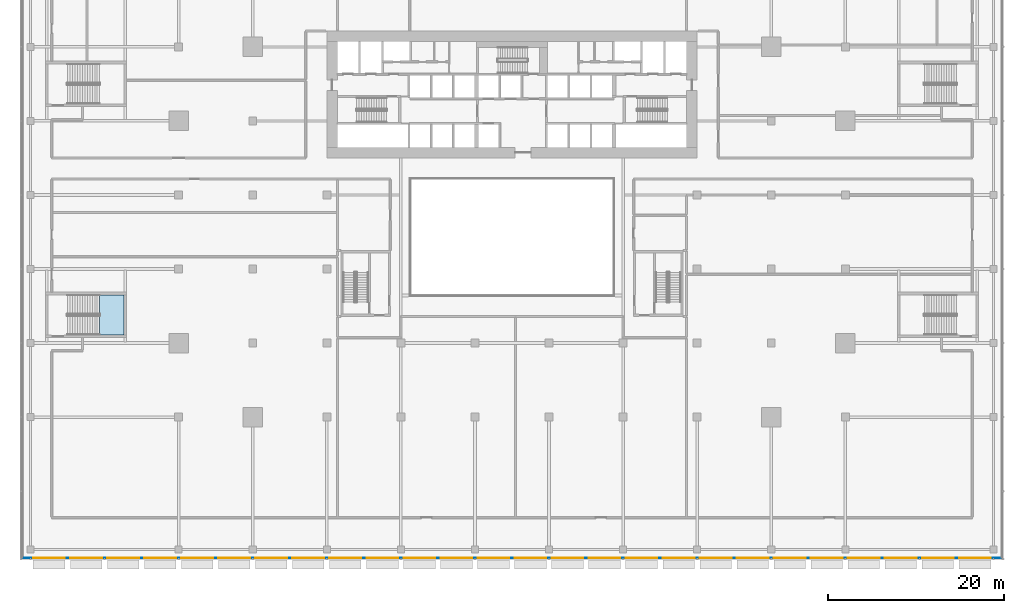
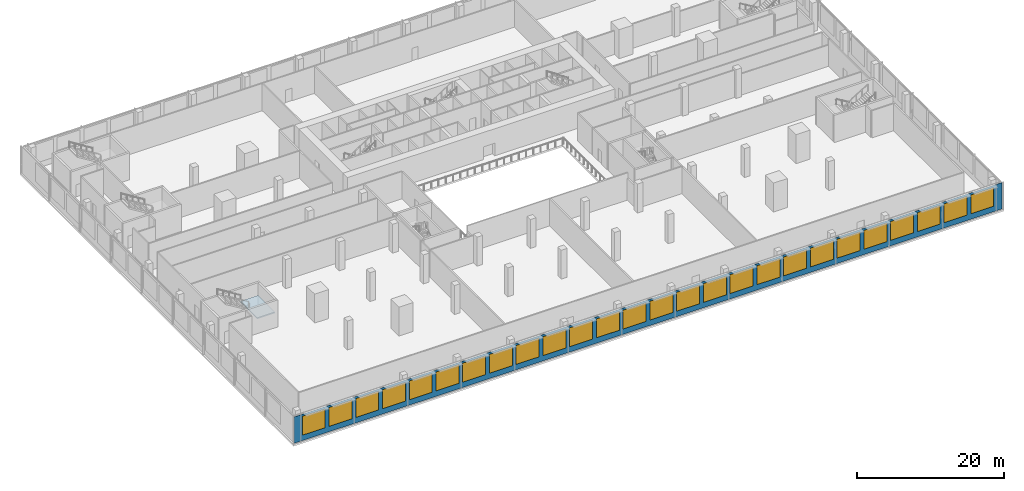
# One storey, part 22 of 39: 26 windows, 1 plate, 1 slab, 26 openings, 2 elements without a shape of their own.
"""IFC4 building model written with IfcOpenShell, lengths in metres."""

from ifc_helpers import new_model, si_unit, direction, frame, frame_2d, origin, place, context, subcontext, project, spatial, polyline, rectangle, outline, extrude, material, layer, layer_set, type_object, element, fill, aggregate, save


model = new_model("IFC4")

# Units and contexts
model_context = context("Model", 3, precision=1e-05, world=origin(), true_north=direction((0.0, 1.0)))
body_context = subcontext(model_context, "Body", "Model", "MODEL_VIEW")
ifc_project = project(units=[si_unit("LENGTHUNIT", "METRE"), si_unit("AREAUNIT", "SQUARE_METRE"), si_unit("VOLUMEUNIT", "CUBIC_METRE"), si_unit("PLANEANGLEUNIT", "RADIAN"), si_unit("MASSUNIT", "GRAM", prefix="KILO")], contexts=[model_context])

# Site, building, storey
site_placement = place(None, origin())
site = spatial("IfcSite", under=ifc_project, at=site_placement, CompositionType="ELEMENT")
building_placement = place(site_placement, origin())
building = spatial("IfcBuilding", under=site, at=building_placement, Name="Saffron Gate Tower", CompositionType="ELEMENT")
storey_placement = place(building_placement, frame((0.0, 0.0, 14.39990234375)))
storey = spatial("IfcBuildingStorey", under=building, at=storey_placement, Name="L02", CompositionType="ELEMENT", Elevation=14.39990234375)

# Curtain wall, plate, openings, windows
ifc_material_1 = material(Name="Aluminium, bronze anodised", Category="aluminium")
curtain_wall_type = type_object("IfcCurtainWallType", Name="CWS5 curtain wall podium ring base", PredefinedType="NOTDEFINED", material=ifc_material_1)
curtain_wall_placement = place(storey_placement, origin())
curtain_wall = element("IfcCurtainWall", 1, at=curtain_wall_placement, inside=storey, type_object=curtain_wall_type, Name="CWS5 run 1", PredefinedType="NOTDEFINED")
ifc_material_2 = material(Name="Clear low-iron laminated glass", Category="glass")
ifc_layer_1 = layer(ifc_material_2, 0.028076171875)
ifc_layer_set_1 = layer_set([ifc_layer_1], Name="CWS5 fixed glass")
plate_type = type_object("IfcPlateType", Name="CWS5 fixed glass", PredefinedType="CURTAIN_PANEL", material=ifc_layer_set_1)
plate_placement = place(storey_placement, frame((32.028076171875, 15.81396484375, 0.0), z_axis=(0.0, 0.0, 1.0), x_axis=(1.0, 0.0, 0.0)))
plate = element("IfcPlate", 2, at=plate_placement, type_object=plate_type, Name="CWS5 glass panel", PredefinedType="CURTAIN_PANEL", context=body_context, shape_type="SweptSolid", body=[
    extrude(rectangle(XDim=111.14404296875, YDim=0.028076171875, at=frame_2d((55.572021484375, 0.0))), origin(), (0.0, 0.0, 1.0), 4.380126953125),
])
opening_1_placement = place(plate_placement, frame((1.27197265625, 0.0, 0.89990234375)))
opening_1 = element("IfcOpeningElement", 3, at=opening_1_placement, cuts=plate, Name="Opening W5", PredefinedType="OPENING", context=body_context, shape_type="SweptSolid", body=[
    extrude(rectangle(XDim=3.60009765625, YDim=3.1298828125, at=frame_2d((1.800048828125, 1.56494140625))), frame((0.0, 0.02392578125, 0.0), z_axis=(0.0, -1.0, 0.0), x_axis=(1.0, 0.0, 0.0)), (0.0, 0.0, 1.0), 0.048095703125),
])
opening_2_placement = place(plate_placement, frame((5.471923828125, 0.0, 0.89990234375)))
opening_2 = element("IfcOpeningElement", 4, at=opening_2_placement, cuts=plate, Name="Opening W5", PredefinedType="OPENING", context=body_context, shape_type="SweptSolid", body=[
    extrude(rectangle(XDim=3.60009765625, YDim=3.1298828125, at=frame_2d((1.800048828125, 1.56494140625))), frame((0.0, 0.02392578125, 0.0), z_axis=(0.0, -1.0, 0.0), x_axis=(1.0, 0.0, 0.0)), (0.0, 0.0, 1.0), 0.048095703125),
])
opening_3_placement = place(plate_placement, frame((9.672119140625, 0.0, 0.89990234375)))
opening_3 = element("IfcOpeningElement", 5, at=opening_3_placement, cuts=plate, Name="Opening W5", PredefinedType="OPENING", context=body_context, shape_type="SweptSolid", body=[
    extrude(rectangle(XDim=3.60009765625, YDim=3.1298828125, at=frame_2d((1.800048828125, 1.56494140625))), frame((0.0, 0.02392578125, 0.0), z_axis=(0.0, -1.0, 0.0), x_axis=(1.0, 0.0, 0.0)), (0.0, 0.0, 1.0), 0.048095703125),
])
opening_4_placement = place(plate_placement, frame((13.8720703125, 0.0, 0.89990234375)))
opening_4 = element("IfcOpeningElement", 6, at=opening_4_placement, cuts=plate, Name="Opening W5", PredefinedType="OPENING", context=body_context, shape_type="SweptSolid", body=[
    extrude(rectangle(XDim=3.60009765625, YDim=3.1298828125, at=frame_2d((1.800048828125, 1.56494140625))), frame((0.0, 0.02392578125, 0.0), z_axis=(0.0, -1.0, 0.0), x_axis=(1.0, 0.0, 0.0)), (0.0, 0.0, 1.0), 0.048095703125),
])
opening_5_placement = place(plate_placement, frame((18.072021484375, 0.0, 0.89990234375)))
opening_5 = element("IfcOpeningElement", 7, at=opening_5_placement, cuts=plate, Name="Opening W5", PredefinedType="OPENING", context=body_context, shape_type="SweptSolid", body=[
    extrude(rectangle(XDim=3.60009765625, YDim=3.1298828125, at=frame_2d((1.800048828125, 1.56494140625))), frame((0.0, 0.02392578125, 0.0), z_axis=(0.0, -1.0, 0.0), x_axis=(1.0, 0.0, 0.0)), (0.0, 0.0, 1.0), 0.048095703125),
])
opening_6_placement = place(plate_placement, frame((22.27197265625, 0.0, 0.89990234375)))
opening_6 = element("IfcOpeningElement", 8, at=opening_6_placement, cuts=plate, Name="Opening W5", PredefinedType="OPENING", context=body_context, shape_type="SweptSolid", body=[
    extrude(rectangle(XDim=3.60009765625, YDim=3.1298828125, at=frame_2d((1.800048828125, 1.56494140625))), frame((0.0, 0.02392578125, 0.0), z_axis=(0.0, -1.0, 0.0), x_axis=(1.0, 0.0, 0.0)), (0.0, 0.0, 1.0), 0.048095703125),
])
opening_7_placement = place(plate_placement, frame((26.471923828125, 0.0, 0.89990234375)))
opening_7 = element("IfcOpeningElement", 9, at=opening_7_placement, cuts=plate, Name="Opening W5", PredefinedType="OPENING", context=body_context, shape_type="SweptSolid", body=[
    extrude(rectangle(XDim=3.60009765625, YDim=3.1298828125, at=frame_2d((1.800048828125, 1.56494140625))), frame((0.0, 0.02392578125, 0.0), z_axis=(0.0, -1.0, 0.0), x_axis=(1.0, 0.0, 0.0)), (0.0, 0.0, 1.0), 0.048095703125),
])
opening_8_placement = place(plate_placement, frame((30.672119140625, 0.0, 0.89990234375)))
opening_8 = element("IfcOpeningElement", 10, at=opening_8_placement, cuts=plate, Name="Opening W5", PredefinedType="OPENING", context=body_context, shape_type="SweptSolid", body=[
    extrude(rectangle(XDim=3.60009765625, YDim=3.1298828125, at=frame_2d((1.800048828125, 1.56494140625))), frame((0.0, 0.02392578125, 0.0), z_axis=(0.0, -1.0, 0.0), x_axis=(1.0, 0.0, 0.0)), (0.0, 0.0, 1.0), 0.048095703125),
])
opening_9_placement = place(plate_placement, frame((34.8720703125, 0.0, 0.89990234375)))
opening_9 = element("IfcOpeningElement", 11, at=opening_9_placement, cuts=plate, Name="Opening W5", PredefinedType="OPENING", context=body_context, shape_type="SweptSolid", body=[
    extrude(rectangle(XDim=3.60009765625, YDim=3.1298828125, at=frame_2d((1.800048828125, 1.56494140625))), frame((0.0, 0.02392578125, 0.0), z_axis=(0.0, -1.0, 0.0), x_axis=(1.0, 0.0, 0.0)), (0.0, 0.0, 1.0), 0.048095703125),
])
opening_10_placement = place(plate_placement, frame((39.072021484375, 0.0, 0.89990234375)))
opening_10 = element("IfcOpeningElement", 12, at=opening_10_placement, cuts=plate, Name="Opening W5", PredefinedType="OPENING", context=body_context, shape_type="SweptSolid", body=[
    extrude(rectangle(XDim=3.60009765625, YDim=3.1298828125, at=frame_2d((1.800048828125, 1.56494140625))), frame((0.0, 0.02392578125, 0.0), z_axis=(0.0, -1.0, 0.0), x_axis=(1.0, 0.0, 0.0)), (0.0, 0.0, 1.0), 0.048095703125),
])
opening_11_placement = place(plate_placement, frame((43.27197265625, 0.0, 0.89990234375)))
opening_11 = element("IfcOpeningElement", 13, at=opening_11_placement, cuts=plate, Name="Opening W5", PredefinedType="OPENING", context=body_context, shape_type="SweptSolid", body=[
    extrude(rectangle(XDim=3.60009765625, YDim=3.1298828125, at=frame_2d((1.800048828125, 1.56494140625))), frame((0.0, 0.02392578125, 0.0), z_axis=(0.0, -1.0, 0.0), x_axis=(1.0, 0.0, 0.0)), (0.0, 0.0, 1.0), 0.048095703125),
])
opening_12_placement = place(plate_placement, frame((47.471923828125, 0.0, 0.89990234375)))
opening_12 = element("IfcOpeningElement", 14, at=opening_12_placement, cuts=plate, Name="Opening W5", PredefinedType="OPENING", context=body_context, shape_type="SweptSolid", body=[
    extrude(rectangle(XDim=3.60009765625, YDim=3.1298828125, at=frame_2d((1.800048828125, 1.56494140625))), frame((0.0, 0.02392578125, 0.0), z_axis=(0.0, -1.0, 0.0), x_axis=(1.0, 0.0, 0.0)), (0.0, 0.0, 1.0), 0.048095703125),
])
opening_13_placement = place(plate_placement, frame((51.672119140625, 0.0, 0.89990234375)))
opening_13 = element("IfcOpeningElement", 15, at=opening_13_placement, cuts=plate, Name="Opening W5", PredefinedType="OPENING", context=body_context, shape_type="SweptSolid", body=[
    extrude(rectangle(XDim=3.60009765625, YDim=3.1298828125, at=frame_2d((1.800048828125, 1.56494140625))), frame((0.0, 0.02392578125, 0.0), z_axis=(0.0, -1.0, 0.0), x_axis=(1.0, 0.0, 0.0)), (0.0, 0.0, 1.0), 0.048095703125),
])
opening_14_placement = place(plate_placement, frame((55.8720703125, 0.0, 0.89990234375)))
opening_14 = element("IfcOpeningElement", 16, at=opening_14_placement, cuts=plate, Name="Opening W5", PredefinedType="OPENING", context=body_context, shape_type="SweptSolid", body=[
    extrude(rectangle(XDim=3.60009765625, YDim=3.1298828125, at=frame_2d((1.800048828125, 1.56494140625))), frame((0.0, 0.02392578125, 0.0), z_axis=(0.0, -1.0, 0.0), x_axis=(1.0, 0.0, 0.0)), (0.0, 0.0, 1.0), 0.048095703125),
])
opening_15_placement = place(plate_placement, frame((60.072021484375, 0.0, 0.89990234375)))
opening_15 = element("IfcOpeningElement", 17, at=opening_15_placement, cuts=plate, Name="Opening W5", PredefinedType="OPENING", context=body_context, shape_type="SweptSolid", body=[
    extrude(rectangle(XDim=3.60009765625, YDim=3.1298828125, at=frame_2d((1.800048828125, 1.56494140625))), frame((0.0, 0.02392578125, 0.0), z_axis=(0.0, -1.0, 0.0), x_axis=(1.0, 0.0, 0.0)), (0.0, 0.0, 1.0), 0.048095703125),
])
opening_16_placement = place(plate_placement, frame((64.27197265625, 0.0, 0.89990234375)))
opening_16 = element("IfcOpeningElement", 18, at=opening_16_placement, cuts=plate, Name="Opening W5", PredefinedType="OPENING", context=body_context, shape_type="SweptSolid", body=[
    extrude(rectangle(XDim=3.60009765625, YDim=3.1298828125, at=frame_2d((1.800048828125, 1.56494140625))), frame((0.0, 0.02392578125, 0.0), z_axis=(0.0, -1.0, 0.0), x_axis=(1.0, 0.0, 0.0)), (0.0, 0.0, 1.0), 0.048095703125),
])
opening_17_placement = place(plate_placement, frame((68.471923828125, 0.0, 0.89990234375)))
opening_17 = element("IfcOpeningElement", 19, at=opening_17_placement, cuts=plate, Name="Opening W5", PredefinedType="OPENING", context=body_context, shape_type="SweptSolid", body=[
    extrude(rectangle(XDim=3.60009765625, YDim=3.1298828125, at=frame_2d((1.800048828125, 1.56494140625))), frame((0.0, 0.02392578125, 0.0), z_axis=(0.0, -1.0, 0.0), x_axis=(1.0, 0.0, 0.0)), (0.0, 0.0, 1.0), 0.048095703125),
])
opening_18_placement = place(plate_placement, frame((72.672119140625, 0.0, 0.89990234375)))
opening_18 = element("IfcOpeningElement", 20, at=opening_18_placement, cuts=plate, Name="Opening W5", PredefinedType="OPENING", context=body_context, shape_type="SweptSolid", body=[
    extrude(rectangle(XDim=3.60009765625, YDim=3.1298828125, at=frame_2d((1.800048828125, 1.56494140625))), frame((0.0, 0.02392578125, 0.0), z_axis=(0.0, -1.0, 0.0), x_axis=(1.0, 0.0, 0.0)), (0.0, 0.0, 1.0), 0.048095703125),
])
opening_19_placement = place(plate_placement, frame((76.8720703125, 0.0, 0.89990234375)))
opening_19 = element("IfcOpeningElement", 21, at=opening_19_placement, cuts=plate, Name="Opening W5", PredefinedType="OPENING", context=body_context, shape_type="SweptSolid", body=[
    extrude(rectangle(XDim=3.60009765625, YDim=3.1298828125, at=frame_2d((1.800048828125, 1.56494140625))), frame((0.0, 0.02392578125, 0.0), z_axis=(0.0, -1.0, 0.0), x_axis=(1.0, 0.0, 0.0)), (0.0, 0.0, 1.0), 0.048095703125),
])
opening_20_placement = place(plate_placement, frame((81.072021484375, 0.0, 0.89990234375)))
opening_20 = element("IfcOpeningElement", 22, at=opening_20_placement, cuts=plate, Name="Opening W5", PredefinedType="OPENING", context=body_context, shape_type="SweptSolid", body=[
    extrude(rectangle(XDim=3.60009765625, YDim=3.1298828125, at=frame_2d((1.800048828125, 1.56494140625))), frame((0.0, 0.02392578125, 0.0), z_axis=(0.0, -1.0, 0.0), x_axis=(1.0, 0.0, 0.0)), (0.0, 0.0, 1.0), 0.048095703125),
])
opening_21_placement = place(plate_placement, frame((85.27197265625, 0.0, 0.89990234375)))
opening_21 = element("IfcOpeningElement", 23, at=opening_21_placement, cuts=plate, Name="Opening W5", PredefinedType="OPENING", context=body_context, shape_type="SweptSolid", body=[
    extrude(rectangle(XDim=3.60009765625, YDim=3.1298828125, at=frame_2d((1.800048828125, 1.56494140625))), frame((0.0, 0.02392578125, 0.0), z_axis=(0.0, -1.0, 0.0), x_axis=(1.0, 0.0, 0.0)), (0.0, 0.0, 1.0), 0.048095703125),
])
opening_22_placement = place(plate_placement, frame((89.471923828125, 0.0, 0.89990234375)))
opening_22 = element("IfcOpeningElement", 24, at=opening_22_placement, cuts=plate, Name="Opening W5", PredefinedType="OPENING", context=body_context, shape_type="SweptSolid", body=[
    extrude(rectangle(XDim=3.60009765625, YDim=3.1298828125, at=frame_2d((1.800048828125, 1.56494140625))), frame((0.0, 0.02392578125, 0.0), z_axis=(0.0, -1.0, 0.0), x_axis=(1.0, 0.0, 0.0)), (0.0, 0.0, 1.0), 0.048095703125),
])
opening_23_placement = place(plate_placement, frame((93.672119140625, 0.0, 0.89990234375)))
opening_23 = element("IfcOpeningElement", 25, at=opening_23_placement, cuts=plate, Name="Opening W5", PredefinedType="OPENING", context=body_context, shape_type="SweptSolid", body=[
    extrude(rectangle(XDim=3.60009765625, YDim=3.1298828125, at=frame_2d((1.800048828125, 1.56494140625))), frame((0.0, 0.02392578125, 0.0), z_axis=(0.0, -1.0, 0.0), x_axis=(1.0, 0.0, 0.0)), (0.0, 0.0, 1.0), 0.048095703125),
])
opening_24_placement = place(plate_placement, frame((97.8720703125, 0.0, 0.89990234375)))
opening_24 = element("IfcOpeningElement", 26, at=opening_24_placement, cuts=plate, Name="Opening W5", PredefinedType="OPENING", context=body_context, shape_type="SweptSolid", body=[
    extrude(rectangle(XDim=3.60009765625, YDim=3.1298828125, at=frame_2d((1.800048828125, 1.56494140625))), frame((0.0, 0.02392578125, 0.0), z_axis=(0.0, -1.0, 0.0), x_axis=(1.0, 0.0, 0.0)), (0.0, 0.0, 1.0), 0.048095703125),
])
opening_25_placement = place(plate_placement, frame((102.072021484375, 0.0, 0.89990234375)))
opening_25 = element("IfcOpeningElement", 27, at=opening_25_placement, cuts=plate, Name="Opening W5", PredefinedType="OPENING", context=body_context, shape_type="SweptSolid", body=[
    extrude(rectangle(XDim=3.60009765625, YDim=3.1298828125, at=frame_2d((1.800048828125, 1.56494140625))), frame((0.0, 0.02392578125, 0.0), z_axis=(0.0, -1.0, 0.0), x_axis=(1.0, 0.0, 0.0)), (0.0, 0.0, 1.0), 0.048095703125),
])
opening_26_placement = place(plate_placement, frame((106.27197265625, 0.0, 0.89990234375)))
opening_26 = element("IfcOpeningElement", 28, at=opening_26_placement, cuts=plate, Name="Opening W5", PredefinedType="OPENING", context=body_context, shape_type="SweptSolid", body=[
    extrude(rectangle(XDim=3.60009765625, YDim=3.1298828125, at=frame_2d((1.800048828125, 1.56494140625))), frame((0.0, 0.02392578125, 0.0), z_axis=(0.0, -1.0, 0.0), x_axis=(1.0, 0.0, 0.0)), (0.0, 0.0, 1.0), 0.048095703125),
])
ifc_material_3 = material(Name="Fritted bronze-tinted laminated glass in bronze frame", Category="glass")
ifc_layer_2 = layer(ifc_material_3, 0.06005859375)
ifc_layer_set_2 = layer_set([ifc_layer_2], Name="W5 operable panel 3600x3130")
window_type = type_object("IfcWindowType", Name="W5 operable panel 3600x3130", PartitioningType="DOUBLE_PANEL_HORIZONTAL", PredefinedType="WINDOW", material=ifc_layer_set_2)
window_1_placement = place(opening_1_placement, origin())
window_1 = element("IfcWindow", 29, at=window_1_placement, type_object=window_type, Name="W5 operable panel", OverallHeight=3.1298828125, OverallWidth=3.60009765625, PartitioningType="SINGLE_PANEL", PredefinedType="WINDOW", context=body_context, shape_type="SweptSolid", body=[
    extrude(rectangle(XDim=3.60009765625, YDim=3.1298828125, at=frame_2d((1.800048828125, 1.56494140625))), frame((0.0, 0.013671875, 0.0), z_axis=(0.0, -1.0, 0.0), x_axis=(1.0, 0.0, 0.0)), (0.0, 0.0, 1.0), 0.027587890625),
])
fill(opening_1, window_1)
window_2_placement = place(opening_2_placement, origin())
window_2 = element("IfcWindow", 30, at=window_2_placement, type_object=window_type, Name="W5 operable panel", OverallHeight=3.1298828125, OverallWidth=3.60009765625, PartitioningType="SINGLE_PANEL", PredefinedType="WINDOW", context=body_context, shape_type="SweptSolid", body=[
    extrude(rectangle(XDim=3.60009765625, YDim=3.1298828125, at=frame_2d((1.800048828125, 1.56494140625))), frame((0.0, 0.013671875, 0.0), z_axis=(0.0, -1.0, 0.0), x_axis=(1.0, 0.0, 0.0)), (0.0, 0.0, 1.0), 0.027587890625),
])
fill(opening_2, window_2)
window_3_placement = place(opening_3_placement, origin())
window_3 = element("IfcWindow", 31, at=window_3_placement, type_object=window_type, Name="W5 operable panel", OverallHeight=3.1298828125, OverallWidth=3.60009765625, PartitioningType="SINGLE_PANEL", PredefinedType="WINDOW", context=body_context, shape_type="SweptSolid", body=[
    extrude(rectangle(XDim=3.60009765625, YDim=3.1298828125, at=frame_2d((1.800048828125, 1.56494140625))), frame((0.0, 0.013671875, 0.0), z_axis=(0.0, -1.0, 0.0), x_axis=(1.0, 0.0, 0.0)), (0.0, 0.0, 1.0), 0.027587890625),
])
fill(opening_3, window_3)
window_4_placement = place(opening_4_placement, origin())
window_4 = element("IfcWindow", 32, at=window_4_placement, type_object=window_type, Name="W5 operable panel", OverallHeight=3.1298828125, OverallWidth=3.60009765625, PartitioningType="SINGLE_PANEL", PredefinedType="WINDOW", context=body_context, shape_type="SweptSolid", body=[
    extrude(rectangle(XDim=3.60009765625, YDim=3.1298828125, at=frame_2d((1.800048828125, 1.56494140625))), frame((0.0, 0.013671875, 0.0), z_axis=(0.0, -1.0, 0.0), x_axis=(1.0, 0.0, 0.0)), (0.0, 0.0, 1.0), 0.027587890625),
])
fill(opening_4, window_4)
window_5_placement = place(opening_5_placement, origin())
window_5 = element("IfcWindow", 33, at=window_5_placement, type_object=window_type, Name="W5 operable panel", OverallHeight=3.1298828125, OverallWidth=3.60009765625, PartitioningType="SINGLE_PANEL", PredefinedType="WINDOW", context=body_context, shape_type="SweptSolid", body=[
    extrude(rectangle(XDim=3.60009765625, YDim=3.1298828125, at=frame_2d((1.800048828125, 1.56494140625))), frame((0.0, 0.013671875, 0.0), z_axis=(0.0, -1.0, 0.0), x_axis=(1.0, 0.0, 0.0)), (0.0, 0.0, 1.0), 0.027587890625),
])
fill(opening_5, window_5)
window_6_placement = place(opening_6_placement, origin())
window_6 = element("IfcWindow", 34, at=window_6_placement, type_object=window_type, Name="W5 operable panel", OverallHeight=3.1298828125, OverallWidth=3.60009765625, PartitioningType="SINGLE_PANEL", PredefinedType="WINDOW", context=body_context, shape_type="SweptSolid", body=[
    extrude(rectangle(XDim=3.60009765625, YDim=3.1298828125, at=frame_2d((1.800048828125, 1.56494140625))), frame((0.0, 0.013671875, 0.0), z_axis=(0.0, -1.0, 0.0), x_axis=(1.0, 0.0, 0.0)), (0.0, 0.0, 1.0), 0.027587890625),
])
fill(opening_6, window_6)
window_7_placement = place(opening_7_placement, origin())
window_7 = element("IfcWindow", 35, at=window_7_placement, type_object=window_type, Name="W5 operable panel", OverallHeight=3.1298828125, OverallWidth=3.60009765625, PartitioningType="SINGLE_PANEL", PredefinedType="WINDOW", context=body_context, shape_type="SweptSolid", body=[
    extrude(rectangle(XDim=3.60009765625, YDim=3.1298828125, at=frame_2d((1.800048828125, 1.56494140625))), frame((0.0, 0.013671875, 0.0), z_axis=(0.0, -1.0, 0.0), x_axis=(1.0, 0.0, 0.0)), (0.0, 0.0, 1.0), 0.027587890625),
])
fill(opening_7, window_7)
window_8_placement = place(opening_8_placement, origin())
window_8 = element("IfcWindow", 36, at=window_8_placement, type_object=window_type, Name="W5 operable panel", OverallHeight=3.1298828125, OverallWidth=3.60009765625, PartitioningType="SINGLE_PANEL", PredefinedType="WINDOW", context=body_context, shape_type="SweptSolid", body=[
    extrude(rectangle(XDim=3.60009765625, YDim=3.1298828125, at=frame_2d((1.800048828125, 1.56494140625))), frame((0.0, 0.013671875, 0.0), z_axis=(0.0, -1.0, 0.0), x_axis=(1.0, 0.0, 0.0)), (0.0, 0.0, 1.0), 0.027587890625),
])
fill(opening_8, window_8)
window_9_placement = place(opening_9_placement, origin())
window_9 = element("IfcWindow", 37, at=window_9_placement, type_object=window_type, Name="W5 operable panel", OverallHeight=3.1298828125, OverallWidth=3.60009765625, PartitioningType="SINGLE_PANEL", PredefinedType="WINDOW", context=body_context, shape_type="SweptSolid", body=[
    extrude(rectangle(XDim=3.60009765625, YDim=3.1298828125, at=frame_2d((1.800048828125, 1.56494140625))), frame((0.0, 0.013671875, 0.0), z_axis=(0.0, -1.0, 0.0), x_axis=(1.0, 0.0, 0.0)), (0.0, 0.0, 1.0), 0.027587890625),
])
fill(opening_9, window_9)
window_10_placement = place(opening_10_placement, origin())
window_10 = element("IfcWindow", 38, at=window_10_placement, type_object=window_type, Name="W5 operable panel", OverallHeight=3.1298828125, OverallWidth=3.60009765625, PartitioningType="SINGLE_PANEL", PredefinedType="WINDOW", context=body_context, shape_type="SweptSolid", body=[
    extrude(rectangle(XDim=3.60009765625, YDim=3.1298828125, at=frame_2d((1.800048828125, 1.56494140625))), frame((0.0, 0.013671875, 0.0), z_axis=(0.0, -1.0, 0.0), x_axis=(1.0, 0.0, 0.0)), (0.0, 0.0, 1.0), 0.027587890625),
])
fill(opening_10, window_10)
window_11_placement = place(opening_11_placement, origin())
window_11 = element("IfcWindow", 39, at=window_11_placement, type_object=window_type, Name="W5 operable panel", OverallHeight=3.1298828125, OverallWidth=3.60009765625, PartitioningType="SINGLE_PANEL", PredefinedType="WINDOW", context=body_context, shape_type="SweptSolid", body=[
    extrude(rectangle(XDim=3.60009765625, YDim=3.1298828125, at=frame_2d((1.800048828125, 1.56494140625))), frame((0.0, 0.013671875, 0.0), z_axis=(0.0, -1.0, 0.0), x_axis=(1.0, 0.0, 0.0)), (0.0, 0.0, 1.0), 0.027587890625),
])
fill(opening_11, window_11)
window_12_placement = place(opening_12_placement, origin())
window_12 = element("IfcWindow", 40, at=window_12_placement, type_object=window_type, Name="W5 operable panel", OverallHeight=3.1298828125, OverallWidth=3.60009765625, PartitioningType="SINGLE_PANEL", PredefinedType="WINDOW", context=body_context, shape_type="SweptSolid", body=[
    extrude(rectangle(XDim=3.60009765625, YDim=3.1298828125, at=frame_2d((1.800048828125, 1.56494140625))), frame((0.0, 0.013671875, 0.0), z_axis=(0.0, -1.0, 0.0), x_axis=(1.0, 0.0, 0.0)), (0.0, 0.0, 1.0), 0.027587890625),
])
fill(opening_12, window_12)
window_13_placement = place(opening_13_placement, origin())
window_13 = element("IfcWindow", 41, at=window_13_placement, type_object=window_type, Name="W5 operable panel", OverallHeight=3.1298828125, OverallWidth=3.60009765625, PartitioningType="SINGLE_PANEL", PredefinedType="WINDOW", context=body_context, shape_type="SweptSolid", body=[
    extrude(rectangle(XDim=3.60009765625, YDim=3.1298828125, at=frame_2d((1.800048828125, 1.56494140625))), frame((0.0, 0.013671875, 0.0), z_axis=(0.0, -1.0, 0.0), x_axis=(1.0, 0.0, 0.0)), (0.0, 0.0, 1.0), 0.027587890625),
])
fill(opening_13, window_13)
window_14_placement = place(opening_14_placement, origin())
window_14 = element("IfcWindow", 42, at=window_14_placement, type_object=window_type, Name="W5 operable panel", OverallHeight=3.1298828125, OverallWidth=3.60009765625, PartitioningType="SINGLE_PANEL", PredefinedType="WINDOW", context=body_context, shape_type="SweptSolid", body=[
    extrude(rectangle(XDim=3.60009765625, YDim=3.1298828125, at=frame_2d((1.800048828125, 1.56494140625))), frame((0.0, 0.013671875, 0.0), z_axis=(0.0, -1.0, 0.0), x_axis=(1.0, 0.0, 0.0)), (0.0, 0.0, 1.0), 0.027587890625),
])
fill(opening_14, window_14)
window_15_placement = place(opening_15_placement, origin())
window_15 = element("IfcWindow", 43, at=window_15_placement, type_object=window_type, Name="W5 operable panel", OverallHeight=3.1298828125, OverallWidth=3.60009765625, PartitioningType="SINGLE_PANEL", PredefinedType="WINDOW", context=body_context, shape_type="SweptSolid", body=[
    extrude(rectangle(XDim=3.60009765625, YDim=3.1298828125, at=frame_2d((1.800048828125, 1.56494140625))), frame((0.0, 0.013671875, 0.0), z_axis=(0.0, -1.0, 0.0), x_axis=(1.0, 0.0, 0.0)), (0.0, 0.0, 1.0), 0.027587890625),
])
fill(opening_15, window_15)
window_16_placement = place(opening_16_placement, origin())
window_16 = element("IfcWindow", 44, at=window_16_placement, type_object=window_type, Name="W5 operable panel", OverallHeight=3.1298828125, OverallWidth=3.60009765625, PartitioningType="SINGLE_PANEL", PredefinedType="WINDOW", context=body_context, shape_type="SweptSolid", body=[
    extrude(rectangle(XDim=3.60009765625, YDim=3.1298828125, at=frame_2d((1.800048828125, 1.56494140625))), frame((0.0, 0.013671875, 0.0), z_axis=(0.0, -1.0, 0.0), x_axis=(1.0, 0.0, 0.0)), (0.0, 0.0, 1.0), 0.027587890625),
])
fill(opening_16, window_16)
window_17_placement = place(opening_17_placement, origin())
window_17 = element("IfcWindow", 45, at=window_17_placement, type_object=window_type, Name="W5 operable panel", OverallHeight=3.1298828125, OverallWidth=3.60009765625, PartitioningType="SINGLE_PANEL", PredefinedType="WINDOW", context=body_context, shape_type="SweptSolid", body=[
    extrude(rectangle(XDim=3.60009765625, YDim=3.1298828125, at=frame_2d((1.800048828125, 1.56494140625))), frame((0.0, 0.013671875, 0.0), z_axis=(0.0, -1.0, 0.0), x_axis=(1.0, 0.0, 0.0)), (0.0, 0.0, 1.0), 0.027587890625),
])
fill(opening_17, window_17)
window_18_placement = place(opening_18_placement, origin())
window_18 = element("IfcWindow", 46, at=window_18_placement, type_object=window_type, Name="W5 operable panel", OverallHeight=3.1298828125, OverallWidth=3.60009765625, PartitioningType="SINGLE_PANEL", PredefinedType="WINDOW", context=body_context, shape_type="SweptSolid", body=[
    extrude(rectangle(XDim=3.60009765625, YDim=3.1298828125, at=frame_2d((1.800048828125, 1.56494140625))), frame((0.0, 0.013671875, 0.0), z_axis=(0.0, -1.0, 0.0), x_axis=(1.0, 0.0, 0.0)), (0.0, 0.0, 1.0), 0.027587890625),
])
fill(opening_18, window_18)
window_19_placement = place(opening_19_placement, origin())
window_19 = element("IfcWindow", 47, at=window_19_placement, type_object=window_type, Name="W5 operable panel", OverallHeight=3.1298828125, OverallWidth=3.60009765625, PartitioningType="SINGLE_PANEL", PredefinedType="WINDOW", context=body_context, shape_type="SweptSolid", body=[
    extrude(rectangle(XDim=3.60009765625, YDim=3.1298828125, at=frame_2d((1.800048828125, 1.56494140625))), frame((0.0, 0.013671875, 0.0), z_axis=(0.0, -1.0, 0.0), x_axis=(1.0, 0.0, 0.0)), (0.0, 0.0, 1.0), 0.027587890625),
])
fill(opening_19, window_19)
window_20_placement = place(opening_20_placement, origin())
window_20 = element("IfcWindow", 48, at=window_20_placement, type_object=window_type, Name="W5 operable panel", OverallHeight=3.1298828125, OverallWidth=3.60009765625, PartitioningType="SINGLE_PANEL", PredefinedType="WINDOW", context=body_context, shape_type="SweptSolid", body=[
    extrude(rectangle(XDim=3.60009765625, YDim=3.1298828125, at=frame_2d((1.800048828125, 1.56494140625))), frame((0.0, 0.013671875, 0.0), z_axis=(0.0, -1.0, 0.0), x_axis=(1.0, 0.0, 0.0)), (0.0, 0.0, 1.0), 0.027587890625),
])
fill(opening_20, window_20)
window_21_placement = place(opening_21_placement, origin())
window_21 = element("IfcWindow", 49, at=window_21_placement, type_object=window_type, Name="W5 operable panel", OverallHeight=3.1298828125, OverallWidth=3.60009765625, PartitioningType="SINGLE_PANEL", PredefinedType="WINDOW", context=body_context, shape_type="SweptSolid", body=[
    extrude(rectangle(XDim=3.60009765625, YDim=3.1298828125, at=frame_2d((1.800048828125, 1.56494140625))), frame((0.0, 0.013671875, 0.0), z_axis=(0.0, -1.0, 0.0), x_axis=(1.0, 0.0, 0.0)), (0.0, 0.0, 1.0), 0.027587890625),
])
fill(opening_21, window_21)
window_22_placement = place(opening_22_placement, origin())
window_22 = element("IfcWindow", 50, at=window_22_placement, type_object=window_type, Name="W5 operable panel", OverallHeight=3.1298828125, OverallWidth=3.60009765625, PartitioningType="SINGLE_PANEL", PredefinedType="WINDOW", context=body_context, shape_type="SweptSolid", body=[
    extrude(rectangle(XDim=3.60009765625, YDim=3.1298828125, at=frame_2d((1.800048828125, 1.56494140625))), frame((0.0, 0.013671875, 0.0), z_axis=(0.0, -1.0, 0.0), x_axis=(1.0, 0.0, 0.0)), (0.0, 0.0, 1.0), 0.027587890625),
])
fill(opening_22, window_22)
window_23_placement = place(opening_23_placement, origin())
window_23 = element("IfcWindow", 51, at=window_23_placement, type_object=window_type, Name="W5 operable panel", OverallHeight=3.1298828125, OverallWidth=3.60009765625, PartitioningType="SINGLE_PANEL", PredefinedType="WINDOW", context=body_context, shape_type="SweptSolid", body=[
    extrude(rectangle(XDim=3.60009765625, YDim=3.1298828125, at=frame_2d((1.800048828125, 1.56494140625))), frame((0.0, 0.013671875, 0.0), z_axis=(0.0, -1.0, 0.0), x_axis=(1.0, 0.0, 0.0)), (0.0, 0.0, 1.0), 0.027587890625),
])
fill(opening_23, window_23)
window_24_placement = place(opening_24_placement, origin())
window_24 = element("IfcWindow", 52, at=window_24_placement, type_object=window_type, Name="W5 operable panel", OverallHeight=3.1298828125, OverallWidth=3.60009765625, PartitioningType="SINGLE_PANEL", PredefinedType="WINDOW", context=body_context, shape_type="SweptSolid", body=[
    extrude(rectangle(XDim=3.60009765625, YDim=3.1298828125, at=frame_2d((1.800048828125, 1.56494140625))), frame((0.0, 0.013671875, 0.0), z_axis=(0.0, -1.0, 0.0), x_axis=(1.0, 0.0, 0.0)), (0.0, 0.0, 1.0), 0.027587890625),
])
fill(opening_24, window_24)
window_25_placement = place(opening_25_placement, origin())
window_25 = element("IfcWindow", 53, at=window_25_placement, type_object=window_type, Name="W5 operable panel", OverallHeight=3.1298828125, OverallWidth=3.60009765625, PartitioningType="SINGLE_PANEL", PredefinedType="WINDOW", context=body_context, shape_type="SweptSolid", body=[
    extrude(rectangle(XDim=3.60009765625, YDim=3.1298828125, at=frame_2d((1.800048828125, 1.56494140625))), frame((0.0, 0.013671875, 0.0), z_axis=(0.0, -1.0, 0.0), x_axis=(1.0, 0.0, 0.0)), (0.0, 0.0, 1.0), 0.027587890625),
])
fill(opening_25, window_25)
window_26_placement = place(opening_26_placement, origin())
window_26 = element("IfcWindow", 54, at=window_26_placement, type_object=window_type, Name="W5 operable panel", OverallHeight=3.1298828125, OverallWidth=3.60009765625, PartitioningType="SINGLE_PANEL", PredefinedType="WINDOW", context=body_context, shape_type="SweptSolid", body=[
    extrude(rectangle(XDim=3.60009765625, YDim=3.1298828125, at=frame_2d((1.800048828125, 1.56494140625))), frame((0.0, 0.013671875, 0.0), z_axis=(0.0, -1.0, 0.0), x_axis=(1.0, 0.0, 0.0)), (0.0, 0.0, 1.0), 0.027587890625),
])
fill(opening_26, window_26)
aggregate(curtain_wall, [plate, window_1, window_2, window_3, window_4, window_5, window_6, window_7, window_8, window_9, window_10, window_11, window_12, window_13, window_14, window_15, window_16, window_17, window_18, window_19, window_20, window_21, window_22, window_23, window_24, window_25, window_26])

# Stair, slab
ifc_material_4 = material(Name="Concrete C40", Category="concrete")
stair_type = type_object("IfcStairType", Name="ST11 Stair 2200 wide, 28 risers of 171", PredefinedType="HALF_TURN_STAIR", material=ifc_material_4)
stair_placement = place(storey_placement, origin())
stair = element("IfcStair", 55, at=stair_placement, inside=storey, type_object=stair_type, Name="L02 Exit stair H", PredefinedType="HALF_TURN_STAIR")
ifc_layer_3 = layer(ifc_material_4, 0.199951171875)
ifc_layer_set_3 = layer_set([ifc_layer_3], Name="SL1 Stair landing 200")
slab_type = type_object("IfcSlabType", Name="SL1 Stair landing 200", PredefinedType="LANDING", material=ifc_layer_set_3)
slab_placement = place(storey_placement, frame((0.0, 0.0, 2.2001953125)))
slab = element("IfcSlab", 56, at=slab_placement, type_object=slab_type, Name="ST-H landing 1", PredefinedType="LANDING", context=body_context, shape_type="SweptSolid", body=[
    extrude(outline(polyline([(40.840087890625, 41.125), (43.60009765625, 41.125), (43.60009765625, 45.675048828125), (40.840087890625, 45.675048828125), (40.840087890625, 41.125)])), origin(), (0.0, 0.0, 1.0), 0.199951171875),
])
aggregate(stair, [slab])

save(model, "model.ifc")
